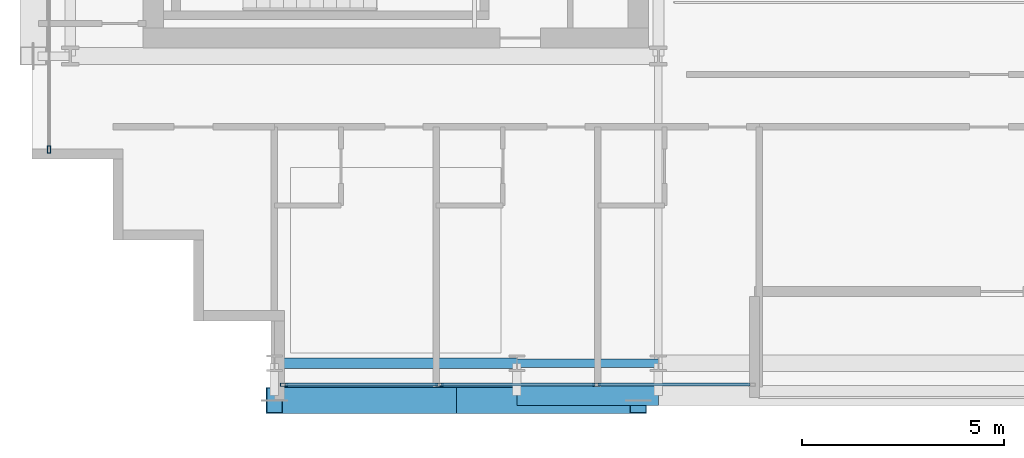
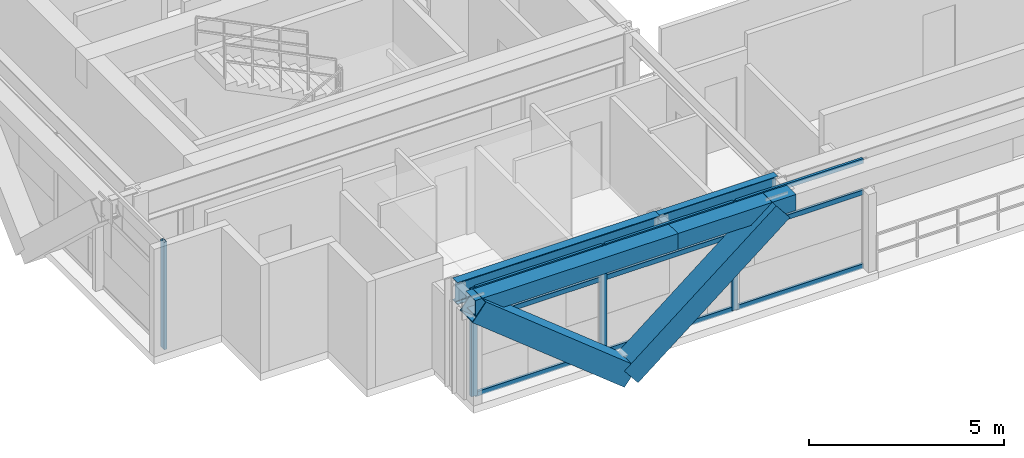
# One storey, part 2 of 38: 15 members, 4 beams, 2 elements without a shape of their own.
"""IFC4 building model written with IfcOpenShell, lengths in metres."""

from ifc_helpers import new_model, si_unit, direction, frame, origin, origin_2d, place, context, subcontext, project, spatial, hollow_rectangle, i_section, extrude, source, transform, mapped, material, layer, layer_set, material_profile, profile_set, type_object, element, aggregate, save


model = new_model("IFC4")

# Units and contexts
model_context = context("Model", 3, precision=1e-05, world=origin(), true_north=direction((0.0, 1.0)))
body_context = subcontext(model_context, "Body", "Model", "MODEL_VIEW")
ifc_project = project(units=[si_unit("LENGTHUNIT", "METRE"), si_unit("AREAUNIT", "SQUARE_METRE"), si_unit("VOLUMEUNIT", "CUBIC_METRE"), si_unit("PLANEANGLEUNIT", "RADIAN"), si_unit("MASSUNIT", "GRAM", prefix="KILO")], contexts=[model_context])

# Site, building, storey
site_placement = place(None, origin())
site = spatial("IfcSite", under=ifc_project, at=site_placement, CompositionType="ELEMENT")
building_placement = place(site_placement, origin())
building = spatial("IfcBuilding", under=site, at=building_placement, Name="Ocotamira Hotel", CompositionType="ELEMENT")
storey_placement = place(building_placement, frame((0.0, 0.0, 170.39990234375)))
storey = spatial("IfcBuildingStorey", under=building, at=storey_placement, Name="L42", CompositionType="ELEMENT", Elevation=170.39990234375)

# Beams
ifc_material_1 = material(Name="Steel ASTM A992 Grade 50", Category="steel")
ifc_material_profile_1 = material_profile(ifc_material_1, i_section(OverallWidth=0.256103515625, OverallDepth=0.693115234375, WebThickness=0.014404296875, FlangeThickness=0.023681640625, FilletRadius=0.01611328125, at=origin_2d()), Name="W27X114")
ifc_profile_set_1 = profile_set([ifc_material_profile_1], Name="Steel ASTM A992 Grade 50")
beam_type_1 = type_object("IfcBeamType", Name="BM-PRIM-W27X114", PredefinedType="BEAM", material=ifc_profile_set_1)
shared_shape_1 = source(origin(), body_context, "Body", "SweptSolid", [
    extrude(i_section(OverallWidth=0.256103515625, OverallDepth=0.693115234375, WebThickness=0.014404296875, FlangeThickness=0.023681640625, FilletRadius=0.01611328125, at=origin_2d()), origin(), (0.0, 0.0, 1.0), 6.0),
])
beam_1_placement = place(storey_placement, frame((14.0, 6.949951171875, 3.023681640625), z_axis=(1.0, 0.0, 0.0), x_axis=(0.0, 1.0, 0.0)))
element("IfcBeam", 1, at=beam_1_placement, inside=storey, type_object=beam_type_1, Name="L42 Girder Y6.95 X14-20", PredefinedType="BEAM", context=body_context, shape_type="MappedRepresentation", body=[
    mapped(shared_shape_1, transform((0.0, 0.0, 0.0), scale=1.0)),
])
ifc_material_profile_2 = material_profile(ifc_material_1, i_section(OverallWidth=0.2099609375, OverallDepth=0.537109375, WebThickness=0.010986328125, FlangeThickness=0.017333984375, FilletRadius=0.012939453125, at=origin_2d()), Name="W21X68")
ifc_profile_set_2 = profile_set([ifc_material_profile_2], Name="Steel ASTM A992 Grade 50")
beam_type_2 = type_object("IfcBeamType", Name="BM-SEC-W21X68", PredefinedType="JOIST", material=ifc_profile_set_2)
shared_shape_2 = source(origin(), body_context, "Body", "SweptSolid", [
    extrude(i_section(OverallWidth=0.2099609375, OverallDepth=0.537109375, WebThickness=0.010986328125, FlangeThickness=0.017333984375, FilletRadius=0.012939453125, at=origin_2d()), origin(), (0.0, 0.0, 1.0), 3.5),
])
beam_2_placement = place(storey_placement, frame((20.0, 6.949951171875, 3.1015625), z_axis=(1.0, 0.0, 0.0), x_axis=(0.0, 1.0, 0.0)))
element("IfcBeam", 2, at=beam_2_placement, inside=storey, type_object=beam_type_2, Name="L42 Girder Y6.95 X20-23.5", PredefinedType="JOIST", context=body_context, shape_type="MappedRepresentation", body=[
    mapped(shared_shape_2, transform((0.0, 0.0, 0.0), scale=1.0)),
])
ifc_material_2 = material(Name="Steel ASTM A500 Grade C", Category="steel")
ifc_material_profile_3 = material_profile(ifc_material_2, hollow_rectangle(XDim=0.5, YDim=0.5, WallThickness=0.02001953125, at=origin_2d()), Name="HSS500X500X20")
ifc_profile_set_3 = profile_set([ifc_material_profile_3], Name="Steel ASTM A500 Grade C")
beam_type_3 = type_object("IfcBeamType", Name="BM-SPAN-HSS500", PredefinedType="USERDEFINED", material=ifc_profile_set_3)
shared_shape_3 = source(origin(), body_context, "Body", "SweptSolid", [
    extrude(hollow_rectangle(XDim=0.5, YDim=0.5, WallThickness=0.02001953125, at=origin_2d()), origin(), (0.0, 0.0, 1.0), 6.0),
])
beam_3_placement = place(storey_placement, frame((14.0, 6.14990234375, 3.1201171875), z_axis=(1.0, 0.0, 0.0), x_axis=(0.0, 1.0, 0.0)))
element("IfcBeam", 3, at=beam_3_placement, inside=storey, type_object=beam_type_3, Name="L42 Edge Spandrel S X14-20", ObjectType="SPANDREL", PredefinedType="USERDEFINED", context=body_context, shape_type="MappedRepresentation", body=[
    mapped(shared_shape_3, transform((0.0, 0.0, 0.0), scale=1.0)),
])
shared_shape_4 = source(origin(), body_context, "Body", "SweptSolid", [
    extrude(hollow_rectangle(XDim=0.5, YDim=0.5, WallThickness=0.02001953125, at=origin_2d()), origin(), (0.0, 0.0, 1.0), 3.5),
])
beam_4_placement = place(storey_placement, frame((20.0, 6.14990234375, 3.1201171875), z_axis=(1.0, 0.0, 0.0), x_axis=(0.0, 1.0, 0.0)))
element("IfcBeam", 4, at=beam_4_placement, inside=storey, type_object=beam_type_3, Name="L42 Edge Spandrel S X20-23.5", ObjectType="SPANDREL", PredefinedType="USERDEFINED", context=body_context, shape_type="MappedRepresentation", body=[
    mapped(shared_shape_4, transform((0.0, 0.0, 0.0), scale=1.0)),
])

# Members
ifc_material_3 = material(Name="Pale-metal coated steel ASTM A913 Grade 65", Category="steel")
ifc_material_profile_4 = material_profile(ifc_material_3, hollow_rectangle(XDim=0.64990234375, YDim=0.64990234375, WallThickness=0.02197265625, at=origin_2d()), Name="BOX650X650X22")
ifc_profile_set_4 = profile_set([ifc_material_profile_4], Name="Pale-metal coated steel ASTM A913 Grade 65")
member_type_1 = type_object("IfcMemberType", Name="MEM-EXO-BOX650", PredefinedType="BRACE", material=ifc_profile_set_4)
shared_shape_5 = source(origin(), body_context, "Body", "SweptSolid", [
    extrude(hollow_rectangle(XDim=0.64990234375, YDim=0.64990234375, WallThickness=0.02197265625, at=origin_2d()), origin(), (0.0, 0.0, 1.0), 5.762939453125),
])
for number, where, z_axis, x_axis, name in (
    (5, (18.5, 6.030029296875, -0.47998046875), (-0.780860543151, 0.0, 0.624705380279), (0.0, -1.0, 0.0), "L42 Exoskeleton Diagrid S0.1"),
    (6, (18.5, 6.030029296875, -0.47998046875), (0.780860543151, 0.0, 0.624705380279), (0.0, 1.0, 0.0), "L42 Exoskeleton Diagrid S0.2"),
):
    element("IfcMember", number, at=place(storey_placement, frame(where, z_axis=z_axis, x_axis=x_axis)), inside=storey, type_object=member_type_1, Name=name, PredefinedType="BRACE", context=body_context, shape_type="MappedRepresentation", body=[
        mapped(shared_shape_5, transform((0.0, 0.0, 0.0), scale=1.0)),
    ])

# Curtain wall, members
ifc_material_4 = material(Name="Anodised pale-metal aluminium and solar glass", Category="aluminium")
ifc_layer = layer(ifc_material_4, 0.199951171875)
ifc_layer_set = layer_set([ifc_layer], Name="Anodised pale-metal aluminium and solar glass")
curtain_wall_type = type_object("IfcCurtainWallType", Name="CW-SYS4-Z3", PredefinedType="NOTDEFINED", material=ifc_layer_set)
curtain_wall_1_placement = place(storey_placement, origin())
curtain_wall_1 = element("IfcCurtainWall", 7, at=curtain_wall_1_placement, inside=storey, type_object=curtain_wall_type, Name="L42 Curtain Wall CW-4 CW-L42-S1", PredefinedType="NOTDEFINED")
ifc_material_5 = material(Name="Anodised pale-metal aluminium 6063-T6", Category="aluminium")
ifc_material_profile_5 = material_profile(ifc_material_5, hollow_rectangle(XDim=0.080078125, YDim=0.179931640625, WallThickness=0.006103515625, at=origin_2d()), Name="HSS180X80X6")
ifc_profile_set_5 = profile_set([ifc_material_profile_5], Name="Anodised pale-metal aluminium 6063-T6")
member_type_2 = type_object("IfcMemberType", Name="CWM-180X75", PredefinedType="MULLION", material=ifc_profile_set_5)
shared_shape_6 = source(origin(), body_context, "Body", "SweptSolid", [
    extrude(hollow_rectangle(XDim=0.080078125, YDim=0.179931640625, WallThickness=0.006103515625, at=origin_2d()), origin(), (0.0, 0.0, 1.0), 3.3701171875),
])
member_1_placement = place(storey_placement, frame((14.239990234375, 6.419921875, 0.0), z_axis=(0.0, 0.0, 1.0), x_axis=(0.0, 1.0, 0.0)))
member_1 = element("IfcMember", 8, at=member_1_placement, type_object=member_type_2, Name="CW-4 mullion 1", PredefinedType="MULLION", context=body_context, shape_type="MappedRepresentation", body=[
    mapped(shared_shape_6, transform((0.0, 0.0, 0.0), scale=1.0)),
])
member_2_placement = place(storey_placement, frame((18.083251953125, 6.419921875, 0.0), z_axis=(0.0, 0.0, 1.0), x_axis=(0.0, 1.0, 0.0)))
member_2 = element("IfcMember", 9, at=member_2_placement, type_object=member_type_2, Name="CW-4 mullion 2", PredefinedType="MULLION", context=body_context, shape_type="MappedRepresentation", body=[
    mapped(shared_shape_6, transform((0.0, 0.0, 0.0), scale=1.0)),
])
member_3_placement = place(storey_placement, frame((21.966552734375, 6.419921875, 0.0), z_axis=(0.0, 0.0, 1.0), x_axis=(0.0, 1.0, 0.0)))
member_3 = element("IfcMember", 10, at=member_3_placement, type_object=member_type_2, Name="CW-4 mullion 3", PredefinedType="MULLION", context=body_context, shape_type="MappedRepresentation", body=[
    mapped(shared_shape_6, transform((0.0, 0.0, 0.0), scale=1.0)),
])

# Curtain wall, member
curtain_wall_2_placement = place(storey_placement, origin())
curtain_wall_2 = element("IfcCurtainWall", 11, at=curtain_wall_2_placement, inside=storey, type_object=curtain_wall_type, Name="L42 Curtain Wall CW-4 CW-L42-W", PredefinedType="NOTDEFINED")
member_4_placement = place(storey_placement, frame((8.419921875, 12.239990234375, 0.0), z_axis=(0.0, 0.0, 1.0), x_axis=(-1.0, 0.0, 0.0)))
member_4 = element("IfcMember", 12, at=member_4_placement, type_object=member_type_2, Name="CW-4 mullion 1", PredefinedType="MULLION", context=body_context, shape_type="MappedRepresentation", body=[
    mapped(shared_shape_6, transform((0.0, 0.0, 0.0), scale=1.0)),
])
aggregate(curtain_wall_2, [member_4])

# Member
ifc_material_profile_6 = material_profile(ifc_material_5, hollow_rectangle(XDim=0.074951171875, YDim=0.14990234375, WallThickness=0.006103515625, at=origin_2d()), Name="HSS150X75X6")
ifc_profile_set_6 = profile_set([ifc_material_profile_6], Name="Anodised pale-metal aluminium 6063-T6")
member_type_3 = type_object("IfcMemberType", Name="CWT-150X75", PredefinedType="USERDEFINED", material=ifc_profile_set_6)
shared_shape_7 = source(origin(), body_context, "Body", "SweptSolid", [
    extrude(hollow_rectangle(XDim=0.074951171875, YDim=0.14990234375, WallThickness=0.006103515625, at=origin_2d()), origin(), (0.0, 0.0, 1.0), 3.76318359375),
])
member_5_placement = place(storey_placement, frame((14.280029296875, 6.419921875, 0.03759765625), z_axis=(1.0, 0.0, 0.0), x_axis=(0.0, 1.0, 0.0)))
member_5 = element("IfcMember", 13, at=member_5_placement, type_object=member_type_3, Name="CW-4 transom 1.1", ObjectType="TRANSOM", PredefinedType="USERDEFINED", context=body_context, shape_type="MappedRepresentation", body=[
    mapped(shared_shape_7, transform((0.0, 0.0, 0.0), scale=1.0)),
])

member_6_placement = place(storey_placement, frame((14.280029296875, 6.419921875, 2.35009765625), z_axis=(1.0, 0.0, 0.0), x_axis=(0.0, 1.0, 0.0)))
member_6 = element("IfcMember", 14, at=member_6_placement, type_object=member_type_3, Name="CW-4 transom 1.2", ObjectType="TRANSOM", PredefinedType="USERDEFINED", context=body_context, shape_type="MappedRepresentation", body=[
    mapped(shared_shape_7, transform((0.0, 0.0, 0.0), scale=1.0)),
])

member_7_placement = place(storey_placement, frame((14.280029296875, 6.419921875, 3.33251953125), z_axis=(1.0, 0.0, 0.0), x_axis=(0.0, 1.0, 0.0)))
member_7 = element("IfcMember", 15, at=member_7_placement, type_object=member_type_3, Name="CW-4 transom 1.3", ObjectType="TRANSOM", PredefinedType="USERDEFINED", context=body_context, shape_type="MappedRepresentation", body=[
    mapped(shared_shape_7, transform((0.0, 0.0, 0.0), scale=1.0)),
])

shared_shape_8 = source(origin(), body_context, "Body", "SweptSolid", [
    extrude(hollow_rectangle(XDim=0.074951171875, YDim=0.14990234375, WallThickness=0.006103515625, at=origin_2d()), origin(), (0.0, 0.0, 1.0), 3.803466796875),
])
member_8_placement = place(storey_placement, frame((18.123291015625, 6.419921875, 0.03759765625), z_axis=(1.0, 0.0, 0.0), x_axis=(0.0, 1.0, 0.0)))
member_8 = element("IfcMember", 16, at=member_8_placement, type_object=member_type_3, Name="CW-4 transom 2.1", ObjectType="TRANSOM", PredefinedType="USERDEFINED", context=body_context, shape_type="MappedRepresentation", body=[
    mapped(shared_shape_8, transform((0.0, 0.0, 0.0), scale=1.0)),
])

member_9_placement = place(storey_placement, frame((18.123291015625, 6.419921875, 2.35009765625), z_axis=(1.0, 0.0, 0.0), x_axis=(0.0, 1.0, 0.0)))
member_9 = element("IfcMember", 17, at=member_9_placement, type_object=member_type_3, Name="CW-4 transom 2.2", ObjectType="TRANSOM", PredefinedType="USERDEFINED", context=body_context, shape_type="MappedRepresentation", body=[
    mapped(shared_shape_8, transform((0.0, 0.0, 0.0), scale=1.0)),
])

member_10_placement = place(storey_placement, frame((18.123291015625, 6.419921875, 3.33251953125), z_axis=(1.0, 0.0, 0.0), x_axis=(0.0, 1.0, 0.0)))
member_10 = element("IfcMember", 18, at=member_10_placement, type_object=member_type_3, Name="CW-4 transom 2.3", ObjectType="TRANSOM", PredefinedType="USERDEFINED", context=body_context, shape_type="MappedRepresentation", body=[
    mapped(shared_shape_8, transform((0.0, 0.0, 0.0), scale=1.0)),
])

shared_shape_9 = source(origin(), body_context, "Body", "SweptSolid", [
    extrude(hollow_rectangle(XDim=0.074951171875, YDim=0.14990234375, WallThickness=0.006103515625, at=origin_2d()), origin(), (0.0, 0.0, 1.0), 3.763427734375),
])
member_11_placement = place(storey_placement, frame((22.006591796875, 6.419921875, 0.03759765625), z_axis=(1.0, 0.0, 0.0), x_axis=(0.0, 1.0, 0.0)))
member_11 = element("IfcMember", 19, at=member_11_placement, type_object=member_type_3, Name="CW-4 transom 3.1", ObjectType="TRANSOM", PredefinedType="USERDEFINED", context=body_context, shape_type="MappedRepresentation", body=[
    mapped(shared_shape_9, transform((0.0, 0.0, 0.0), scale=1.0)),
])

member_12_placement = place(storey_placement, frame((22.006591796875, 6.419921875, 2.35009765625), z_axis=(1.0, 0.0, 0.0), x_axis=(0.0, 1.0, 0.0)))
member_12 = element("IfcMember", 20, at=member_12_placement, type_object=member_type_3, Name="CW-4 transom 3.2", ObjectType="TRANSOM", PredefinedType="USERDEFINED", context=body_context, shape_type="MappedRepresentation", body=[
    mapped(shared_shape_9, transform((0.0, 0.0, 0.0), scale=1.0)),
])

member_13_placement = place(storey_placement, frame((22.006591796875, 6.419921875, 3.33251953125), z_axis=(1.0, 0.0, 0.0), x_axis=(0.0, 1.0, 0.0)))
member_13 = element("IfcMember", 21, at=member_13_placement, type_object=member_type_3, Name="CW-4 transom 3.3", ObjectType="TRANSOM", PredefinedType="USERDEFINED", context=body_context, shape_type="MappedRepresentation", body=[
    mapped(shared_shape_9, transform((0.0, 0.0, 0.0), scale=1.0)),
])

aggregate(curtain_wall_1, [member_1, member_2, member_3, member_5, member_6, member_7, member_8, member_9, member_10, member_11, member_12, member_13])

save(model, "model.ifc")
